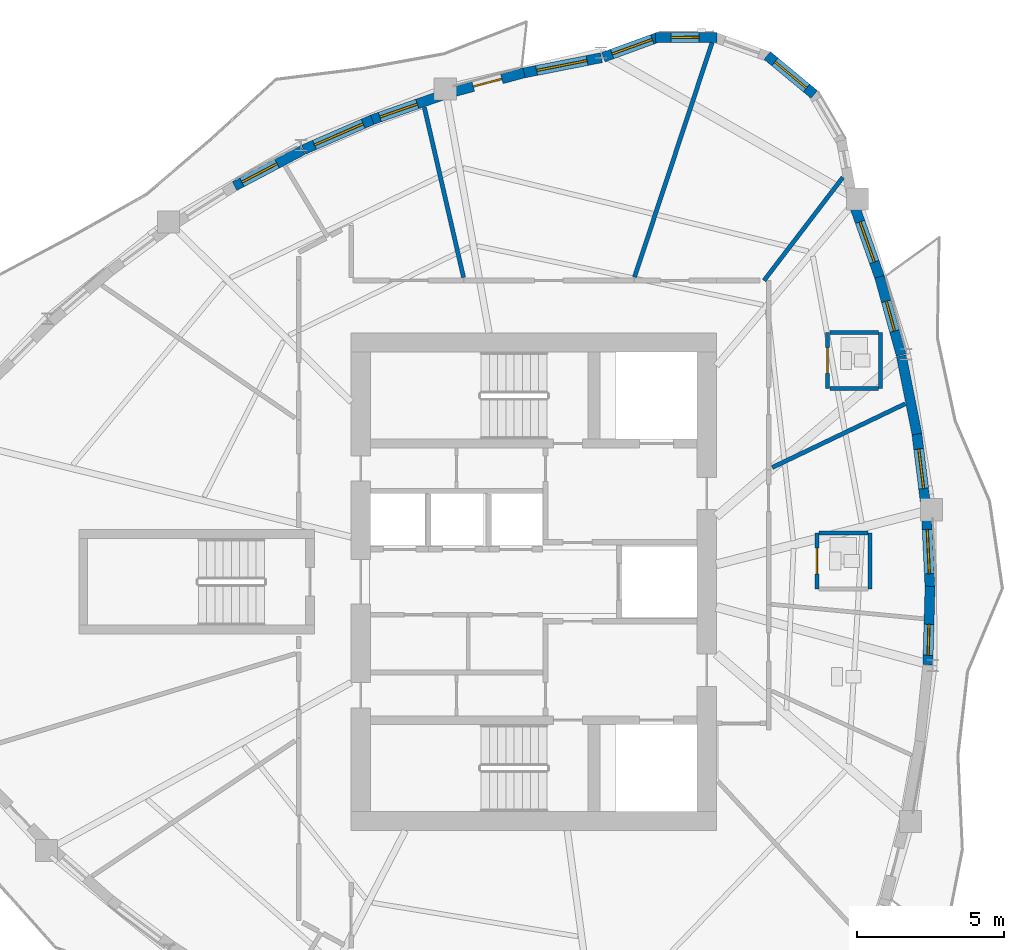
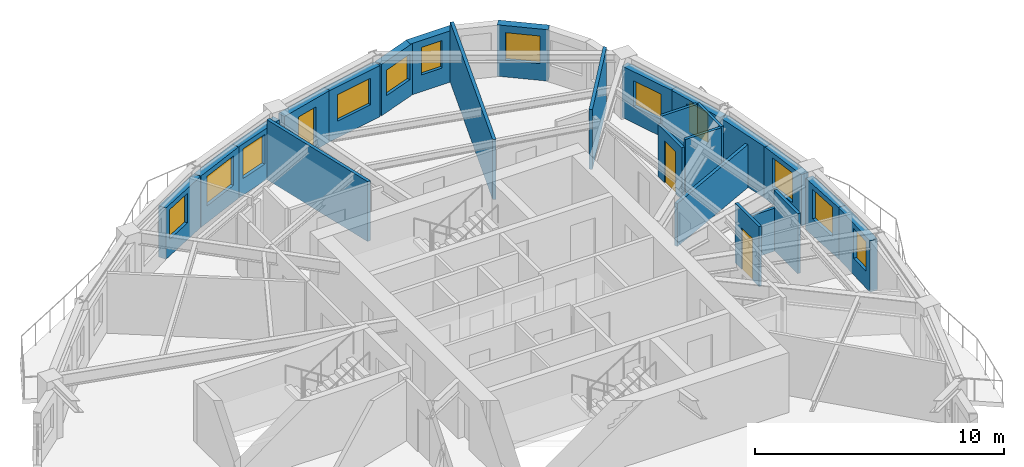
# One storey, part 7 of 12: 25 walls, 12 windows, 3 doors, 15 openings.
"""IFC4 building model written with IfcOpenShell, lengths in metres."""

from ifc_helpers import new_model, si_unit, direction, frame, frame_2d, origin, place, context, subcontext, project, spatial, rectangle, extrude, source, transform, mapped, material, layer, layer_set, type_object, element, fill, save


model = new_model("IFC4")

# Units and contexts
model_context = context("Model", 3, precision=1e-05, world=origin(), true_north=direction((0.0, 1.0)))
body_context = subcontext(model_context, "Body", "Model", "MODEL_VIEW")
ifc_project = project(units=[si_unit("LENGTHUNIT", "METRE"), si_unit("AREAUNIT", "SQUARE_METRE"), si_unit("VOLUMEUNIT", "CUBIC_METRE"), si_unit("PLANEANGLEUNIT", "RADIAN"), si_unit("MASSUNIT", "GRAM", prefix="KILO")], contexts=[model_context])

# Site, building, storey
site_placement = place(None, origin())
site = spatial("IfcSite", under=ifc_project, at=site_placement, CompositionType="ELEMENT")
building_placement = place(site_placement, origin())
building = spatial("IfcBuilding", under=site, at=building_placement, Name="Qafzar Sky-Pleat Residences", CompositionType="ELEMENT")
storey_placement = place(building_placement, frame((0.0, 0.0, 149.0)))
storey = spatial("IfcBuildingStorey", under=building, at=storey_placement, Name="L44", CompositionType="ELEMENT", Elevation=149.0)

# Walls
ifc_material_1 = material(Name="Acoustic gypsum plasterboard partition", Category="gypsum")
ifc_layer_1 = layer(ifc_material_1, 0.14501953125)
ifc_layer_set_1 = layer_set([ifc_layer_1], Name="Acoustic gypsum plasterboard partition")
wall_type_1 = type_object("IfcWallType", Name="PART-UNIT-145", PredefinedType="PARTITIONING", material=ifc_layer_set_1)
wall_1_placement = place(storey_placement, frame((33.7705078125, 36.34033203125, 0.0), z_axis=(0.0, 0.0, 1.0), x_axis=(0.314080540859, 0.949396341816, 0.0)))
element("IfcWall", 1, at=wall_1_placement, inside=storey, type_object=wall_type_1, Name="L44 Partition Wall PART-L44-PW-016", PredefinedType="PARTITIONING", context=body_context, shape_type="SweptSolid", body=[
    extrude(rectangle(XDim=8.394287109375, YDim=0.14501953125, at=frame_2d((4.197265625, 0.0))), origin(), (0.0, 0.0, 1.0), 2.93505859375),
])
wall_2_placement = place(storey_placement, frame((26.6337890625, 42.11328125, 0.0), z_axis=(0.0, 0.0, 1.0), x_axis=(0.224790361783, -0.97440714963, 0.0)))
element("IfcWall", 2, at=wall_2_placement, inside=storey, type_object=wall_type_1, Name="L44 Partition Wall PART-L44-PW-020", PredefinedType="PARTITIONING", context=body_context, shape_type="SweptSolid", body=[
    extrude(rectangle(XDim=5.93115234375, YDim=0.14501953125, at=frame_2d((2.965576171875, 0.0))), origin(), (0.0, 0.0, 1.0), 2.93505859375),
])
wall_3_placement = place(storey_placement, frame((38.448486328125, 29.880859375, 0.0), z_axis=(0.0, 0.0, 1.0), x_axis=(0.901842564972, 0.432064796072, 0.0)))
element("IfcWall", 3, at=wall_3_placement, inside=storey, type_object=wall_type_1, Name="L44 Partition Wall PART-L44-PW-023", PredefinedType="PARTITIONING", context=body_context, shape_type="SweptSolid", body=[
    extrude(rectangle(XDim=5.004150390625, YDim=0.14501953125, at=frame_2d((2.501953125, 0.0))), origin(), (0.0, 0.0, 1.0), 2.10302734375),
])
wall_4_placement = place(storey_placement, frame((38.169921875, 36.22998046875, 0.0), z_axis=(0.0, 0.0, 1.0), x_axis=(0.607203490548, 0.794546361811, 0.0)))
element("IfcWall", 4, at=wall_4_placement, inside=storey, type_object=wall_type_1, Name="L44 Partition Wall PART-L44-PW-024", PredefinedType="PARTITIONING", context=body_context, shape_type="SweptSolid", body=[
    extrude(rectangle(XDim=4.409912109375, YDim=0.14501953125, at=frame_2d((2.205078125, 0.0))), origin(), (0.0, 0.0, 1.0), 2.93505859375),
])

# Wall, opening, door
ifc_material_2 = material(Name="Moisture-resistant gypsum partition", Category="gypsum")
ifc_layer_2 = layer(ifc_material_2, 0.1298828125)
ifc_layer_set_2 = layer_set([ifc_layer_2], Name="Moisture-resistant gypsum partition")
wall_type_2 = type_object("IfcWallType", Name="PART-WET-130", PredefinedType="PARTITIONING", material=ifc_layer_set_2)
wall_5_placement = place(storey_placement, frame((39.968017578125, 27.656982421875, 0.0), z_axis=(0.0, 0.0, 1.0), x_axis=(0.0, -1.0, 0.0)))
wall_5 = element("IfcWall", 5, at=wall_5_placement, inside=storey, type_object=wall_type_2, Name="L44 Partition Wall PART-L44-PW-012", PredefinedType="PARTITIONING", context=body_context, shape_type="SweptSolid", body=[
    extrude(rectangle(XDim=1.89990234375, YDim=0.1298828125, at=frame_2d((0.949951171875, 0.0))), origin(), (0.0, 0.0, 1.0), 2.93505859375),
])
opening_1_placement = place(wall_5_placement, frame((0.510009765625, 0.0, 0.0)))
opening_1 = element("IfcOpeningElement", 6, at=opening_1_placement, cuts=wall_5, Name="Opening ID-07", PredefinedType="OPENING", context=body_context, shape_type="SweptSolid", body=[
    extrude(rectangle(XDim=0.8798828125, YDim=2.050048828125, at=frame_2d((0.43994140625, 1.02490234375))), frame((0.0, 0.074951171875, 0.0), z_axis=(0.0, -1.0, 0.0), x_axis=(1.0, 0.0, 0.0)), (0.0, 0.0, 1.0), 0.14990234375),
])
ifc_material_3 = material(Name="Timber-faced fire door", Category="wood")
door_type_1 = type_object("IfcDoorType", Name="DR-WET-880", OperationType="NOTDEFINED", PredefinedType="DOOR", material=ifc_material_3)
shared_shape_1 = source(origin(), body_context, "Body", "SweptSolid", [
    extrude(rectangle(XDim=0.8798828125, YDim=2.050048828125, at=frame_2d((0.43994140625, 1.02490234375))), frame((0.0, 0.02490234375, 0.0), z_axis=(0.0, -1.0, 0.0), x_axis=(1.0, 0.0, 0.0)), (0.0, 0.0, 1.0), 0.050048828125),
])
door_1_placement = place(opening_1_placement, origin())
door_1 = element("IfcDoor", 7, at=door_1_placement, inside=storey, type_object=door_type_1, Name="L44 En-suite Bathroom 1 Door", OperationType="SINGLE_SWING_LEFT", OverallHeight=2.050048828125, OverallWidth=0.8798828125, PredefinedType="DOOR", context=body_context, shape_type="MappedRepresentation", body=[
    mapped(shared_shape_1, transform((0.0, 0.0, 0.0), x_axis=(1.0, 0.0, 0.0), y_axis=(0.0, 1.0, 0.0), z_axis=(0.0, 0.0, 1.0), scale=1.0)),
])
fill(opening_1, door_1)

wall_6_placement = place(storey_placement, frame((40.330078125, 34.464111328125, 0.0), z_axis=(0.0, 0.0, 1.0), x_axis=(0.0, -1.0, 0.0)))
wall_6 = element("IfcWall", 8, at=wall_6_placement, inside=storey, type_object=wall_type_2, Name="L44 Partition Wall PART-L44-PW-013", PredefinedType="PARTITIONING", context=body_context, shape_type="SweptSolid", body=[
    extrude(rectangle(XDim=1.900146484375, YDim=0.1298828125, at=frame_2d((0.9501953125, 0.0))), origin(), (0.0, 0.0, 1.0), 2.54296875),
])
opening_2_placement = place(wall_6_placement, frame((0.510009765625, 0.0, 0.0)))
opening_2 = element("IfcOpeningElement", 9, at=opening_2_placement, cuts=wall_6, Name="Opening ID-07", PredefinedType="OPENING", context=body_context, shape_type="SweptSolid", body=[
    extrude(rectangle(XDim=0.8798828125, YDim=2.050048828125, at=frame_2d((0.43994140625, 1.02490234375))), frame((0.0, 0.074951171875, 0.0), z_axis=(0.0, -1.0, 0.0), x_axis=(1.0, 0.0, 0.0)), (0.0, 0.0, 1.0), 0.14990234375),
])
door_2_placement = place(opening_2_placement, origin())
door_2 = element("IfcDoor", 10, at=door_2_placement, inside=storey, type_object=door_type_1, Name="L44 En-suite Bathroom 2 Door", OperationType="SINGLE_SWING_RIGHT", OverallHeight=2.050048828125, OverallWidth=0.8798828125, PredefinedType="DOOR", context=body_context, shape_type="MappedRepresentation", body=[
    mapped(shared_shape_1, transform((0.0, 0.0, 0.0), x_axis=(1.0, 0.0, 0.0), y_axis=(0.0, 1.0, 0.0), z_axis=(0.0, 0.0, 1.0), scale=1.0)),
])
fill(opening_2, door_2)

# Walls
wall_7_placement = place(storey_placement, frame((41.76806640625, 25.757080078125, 0.0), z_axis=(0.0, 0.0, 1.0), x_axis=(0.0, 1.0, 0.0)))
element("IfcWall", 11, at=wall_7_placement, inside=storey, type_object=wall_type_2, Name="L44 Partition Wall PART-L44-PW-027", PredefinedType="PARTITIONING", context=body_context, shape_type="SweptSolid", body=[
    extrude(rectangle(XDim=1.89990234375, YDim=0.1298828125, at=frame_2d((0.949951171875, 0.0))), origin(), (0.0, 0.0, 1.0), 2.93505859375),
])
wall_8_placement = place(storey_placement, frame((42.1298828125, 32.56396484375, 0.0), z_axis=(0.0, 0.0, 1.0), x_axis=(0.0, 1.0, 0.0)))
element("IfcWall", 12, at=wall_8_placement, inside=storey, type_object=wall_type_2, Name="L44 Partition Wall PART-L44-PW-028", PredefinedType="PARTITIONING", context=body_context, shape_type="SweptSolid", body=[
    extrude(rectangle(XDim=1.900146484375, YDim=0.1298828125, at=frame_2d((0.9501953125, 0.0))), origin(), (0.0, 0.0, 1.0), 2.93505859375),
])
for number, where, z_axis, x_axis, name in (
    (13, (40.403076171875, 34.464111328125, 0.0), (0.0, 0.0, 1.0), (1.0, 0.0, 0.0), "L44 Partition Wall PART-L44-PW-029"),
    (14, (40.403076171875, 32.56396484375, 0.0), (0.0, 0.0, 1.0), (1.0, 0.0, 0.0), "L44 Partition Wall PART-L44-PW-030"),
):
    element("IfcWall", number, at=place(storey_placement, frame(where, z_axis=z_axis, x_axis=x_axis)), inside=storey, type_object=wall_type_2, Name=name, PredefinedType="PARTITIONING", context=body_context, shape_type="SweptSolid", body=[
        extrude(rectangle(XDim=1.65380859375, YDim=0.1298828125, at=frame_2d((0.826904296875, 0.0))), origin(), (0.0, 0.0, 1.0), 2.93505859375),
    ])
wall_9_placement = place(storey_placement, frame((40.041015625, 27.656982421875, 0.0), z_axis=(0.0, 0.0, 1.0), x_axis=(1.0, 0.0, 0.0)))
element("IfcWall", 15, at=wall_9_placement, inside=storey, type_object=wall_type_2, Name="L44 Partition Wall PART-L44-PW-031", PredefinedType="PARTITIONING", context=body_context, shape_type="SweptSolid", body=[
    extrude(rectangle(XDim=1.654052734375, YDim=0.1298828125, at=frame_2d((0.8271484375, 0.0))), origin(), (0.0, 0.0, 1.0), 2.10302734375),
])

# Wall, opening, window
ifc_material_4 = material(Name="Precast concrete C40/50 with honed Riyadh limestone", Category="concrete")
ifc_layer_3 = layer(ifc_material_4, 0.340087890625)
ifc_layer_set_3 = layer_set([ifc_layer_3], Name="Precast concrete C40/50 with honed Riyadh limestone")
wall_type_3 = type_object("IfcWallType", Name="WALL-EXT-340", PredefinedType="SOLIDWALL", material=ifc_layer_set_3)
wall_10_placement = place(storey_placement, frame((43.73388671875, 23.18310546875, 0.0), z_axis=(0.0, 0.0, 1.0), x_axis=(0.028311286797, 0.999599155182, 0.0)))
wall_10 = element("IfcWall", 16, at=wall_10_placement, inside=storey, type_object=wall_type_3, Name="L44 Limestone Facade Wall 27", PredefinedType="SOLIDWALL", context=body_context, shape_type="SweptSolid", body=[
    extrude(rectangle(XDim=2.66455078125, YDim=0.340087890625, at=frame_2d((1.332275390625, 0.0))), origin(), (0.0, 0.0, 1.0), 2.514892578125),
])
opening_3_placement = place(wall_10_placement, frame((0.322509765625, 0.0, 0.820068359375)))
opening_3 = element("IfcOpeningElement", 17, at=opening_3_placement, cuts=wall_10, Name="Opening WN-06", PredefinedType="OPENING", context=body_context, shape_type="SweptSolid", body=[
    extrude(rectangle(XDim=1.050048828125, YDim=1.449951171875, at=frame_2d((0.52490234375, 0.72509765625))), frame((0.0, 0.18017578125, 0.0), z_axis=(0.0, -1.0, 0.0), x_axis=(1.0, 0.0, 0.0)), (0.0, 0.0, 1.0), 0.360107421875),
])
ifc_material_5 = material(Name="Solar-control low-E glass in bronze aluminium frame", Category="glass")
window_type_1 = type_object("IfcWindowType", Name="WIN-06", PartitioningType="SINGLE_PANEL", PredefinedType="WINDOW", material=ifc_material_5)
shared_shape_2 = source(origin(), body_context, "Body", "SweptSolid", [
    extrude(rectangle(XDim=1.050048828125, YDim=1.449951171875, at=frame_2d((0.52490234375, 0.72509765625))), frame((0.0, 0.030029296875, 0.0), z_axis=(0.0, -1.0, 0.0), x_axis=(1.0, 0.0, 0.0)), (0.0, 0.0, 1.0), 0.06005859375),
])
window_1_placement = place(opening_3_placement, origin())
window_1 = element("IfcWindow", 18, at=window_1_placement, inside=storey, type_object=window_type_1, Name="L44 Punched Facade Window 27", OverallHeight=1.449951171875, OverallWidth=1.050048828125, PartitioningType="SINGLE_PANEL", PredefinedType="WINDOW", context=body_context, shape_type="MappedRepresentation", body=[
    mapped(shared_shape_2, transform((0.0, 0.0, 0.0), x_axis=(1.0, 0.0, 0.0), y_axis=(0.0, 1.0, 0.0), z_axis=(0.0, 0.0, 1.0), scale=1.0)),
])
fill(opening_3, window_1)

wall_11_placement = place(storey_placement, frame((43.810302734375, 25.7578125, 0.0), z_axis=(0.0, 0.0, 1.0), x_axis=(-0.047679791281, 0.998862671994, 0.0)))
wall_11 = element("IfcWall", 19, at=wall_11_placement, inside=storey, type_object=wall_type_3, Name="L44 Limestone Facade Wall 28", PredefinedType="SOLIDWALL", context=body_context, shape_type="SweptSolid", body=[
    extrude(rectangle(XDim=2.529541015625, YDim=0.340087890625, at=frame_2d((1.2646484375, 0.0))), origin(), (0.0, 0.0, 1.0), 2.514892578125),
])
opening_4_placement = place(wall_11_placement, frame((0.519775390625, 0.0, 0.820068359375)))
opening_4 = element("IfcOpeningElement", 20, at=opening_4_placement, cuts=wall_11, Name="Opening WN-03", PredefinedType="OPENING", context=body_context, shape_type="SweptSolid", body=[
    extrude(rectangle(XDim=1.5, YDim=1.449951171875, at=frame_2d((0.75, 0.72509765625))), frame((0.0, 0.18017578125, 0.0), z_axis=(0.0, -1.0, 0.0), x_axis=(1.0, 0.0, 0.0)), (0.0, 0.0, 1.0), 0.360107421875),
])
window_type_2 = type_object("IfcWindowType", Name="WIN-03", PartitioningType="DOUBLE_PANEL_VERTICAL", PredefinedType="WINDOW", material=ifc_material_5)
shared_shape_3 = source(origin(), body_context, "Body", "SweptSolid", [
    extrude(rectangle(XDim=1.5, YDim=1.449951171875, at=frame_2d((0.75, 0.72509765625))), frame((0.0, 0.030029296875, 0.0), z_axis=(0.0, -1.0, 0.0), x_axis=(1.0, 0.0, 0.0)), (0.0, 0.0, 1.0), 0.06005859375),
])
window_2_placement = place(opening_4_placement, origin())
window_2 = element("IfcWindow", 21, at=window_2_placement, inside=storey, type_object=window_type_2, Name="L44 Punched Facade Window 28", OverallHeight=1.449951171875, OverallWidth=1.5, PartitioningType="SINGLE_PANEL", PredefinedType="WINDOW", context=body_context, shape_type="MappedRepresentation", body=[
    mapped(shared_shape_3, transform((0.0, 0.0, 0.0), x_axis=(1.0, 0.0, 0.0), y_axis=(0.0, 1.0, 0.0), z_axis=(0.0, 0.0, 1.0), scale=1.0)),
])
fill(opening_4, window_2)

wall_12_placement = place(storey_placement, frame((43.664306640625, 28.580078125, 0.0), z_axis=(0.0, 0.0, 1.0), x_axis=(-0.122794881762, 0.992432071737, 0.0)))
wall_12 = element("IfcWall", 22, at=wall_12_placement, inside=storey, type_object=wall_type_3, Name="L44 Limestone Facade Wall 29", PredefinedType="SOLIDWALL", context=body_context, shape_type="SweptSolid", body=[
    extrude(rectangle(XDim=2.544921875, YDim=0.340087890625, at=frame_2d((1.2724609375, 0.0))), origin(), (0.0, 0.0, 1.0), 2.514892578125),
])
opening_5_placement = place(wall_12_placement, frame((0.59228515625, 0.0, 0.820068359375)))
opening_5 = element("IfcOpeningElement", 23, at=opening_5_placement, cuts=wall_12, Name="Opening WN-04", PredefinedType="OPENING", context=body_context, shape_type="SweptSolid", body=[
    extrude(rectangle(XDim=1.35009765625, YDim=1.449951171875, at=frame_2d((0.675048828125, 0.72509765625))), frame((0.0, 0.18017578125, 0.0), z_axis=(0.0, -1.0, 0.0), x_axis=(1.0, 0.0, 0.0)), (0.0, 0.0, 1.0), 0.360107421875),
])
window_type_3 = type_object("IfcWindowType", Name="WIN-04", PartitioningType="SINGLE_PANEL", PredefinedType="WINDOW", material=ifc_material_5)
shared_shape_4 = source(origin(), body_context, "Body", "SweptSolid", [
    extrude(rectangle(XDim=1.35009765625, YDim=1.449951171875, at=frame_2d((0.675048828125, 0.72509765625))), frame((0.0, 0.030029296875, 0.0), z_axis=(0.0, -1.0, 0.0), x_axis=(1.0, 0.0, 0.0)), (0.0, 0.0, 1.0), 0.06005859375),
])
window_3_placement = place(opening_5_placement, origin())
window_3 = element("IfcWindow", 24, at=window_3_placement, inside=storey, type_object=window_type_3, Name="L44 Punched Facade Window 29", OverallHeight=1.449951171875, OverallWidth=1.35009765625, PartitioningType="SINGLE_PANEL", PredefinedType="WINDOW", context=body_context, shape_type="MappedRepresentation", body=[
    mapped(shared_shape_4, transform((0.0, 0.0, 0.0), x_axis=(1.0, 0.0, 0.0), y_axis=(0.0, 1.0, 0.0), z_axis=(0.0, 0.0, 1.0), scale=1.0)),
])
fill(opening_5, window_3)

# Wall
wall_13_placement = place(storey_placement, frame((43.365966796875, 31.018310546875, 0.0), z_axis=(0.0, 0.0, 1.0), x_axis=(-0.196116135138, 0.980580675691, 0.0)))
element("IfcWall", 25, at=wall_13_placement, inside=storey, type_object=wall_type_3, Name="L44 Limestone Facade Wall 30", PredefinedType="SOLIDWALL", context=body_context, shape_type="SweptSolid", body=[
    extrude(rectangle(XDim=2.710205078125, YDim=0.340087890625, at=frame_2d((1.35498046875, 0.0))), origin(), (0.0, 0.0, 1.0), 2.514892578125),
])

# Wall, opening, window
wall_14_placement = place(storey_placement, frame((42.827880859375, 33.70263671875, 0.0), z_axis=(0.0, 0.0, 1.0), x_axis=(-0.266340796898, 0.963878923884, 0.0)))
wall_14 = element("IfcWall", 26, at=wall_14_placement, inside=storey, type_object=wall_type_3, Name="L44 Limestone Facade Wall 31", PredefinedType="SOLIDWALL", context=body_context, shape_type="SweptSolid", body=[
    extrude(rectangle(XDim=2.754638671875, YDim=0.340087890625, at=frame_2d((1.37744140625, 0.0))), origin(), (0.0, 0.0, 1.0), 2.514892578125),
])
opening_6_placement = place(wall_14_placement, frame((0.84228515625, 0.0, 0.820068359375)))
opening_6 = element("IfcOpeningElement", 27, at=opening_6_placement, cuts=wall_14, Name="Opening WN-06", PredefinedType="OPENING", context=body_context, shape_type="SweptSolid", body=[
    extrude(rectangle(XDim=1.050048828125, YDim=1.449951171875, at=frame_2d((0.52490234375, 0.72509765625))), frame((0.0, 0.18017578125, 0.0), z_axis=(0.0, -1.0, 0.0), x_axis=(1.0, 0.0, 0.0)), (0.0, 0.0, 1.0), 0.360107421875),
])
window_4_placement = place(opening_6_placement, origin())
window_4 = element("IfcWindow", 28, at=window_4_placement, inside=storey, type_object=window_type_1, Name="L44 Punched Facade Window 31", OverallHeight=1.449951171875, OverallWidth=1.050048828125, PartitioningType="SINGLE_PANEL", PredefinedType="WINDOW", context=body_context, shape_type="MappedRepresentation", body=[
    mapped(shared_shape_2, transform((0.0, 0.0, 0.0), x_axis=(1.0, 0.0, 0.0), y_axis=(0.0, 1.0, 0.0), z_axis=(0.0, 0.0, 1.0), scale=1.0)),
])
fill(opening_6, window_4)

wall_15_placement = place(storey_placement, frame((42.12060546875, 36.27392578125, 0.0), z_axis=(0.0, 0.0, 1.0), x_axis=(-0.332724751299, 0.943023986902, 0.0)))
wall_15 = element("IfcWall", 29, at=wall_15_placement, inside=storey, type_object=wall_type_3, Name="L44 Limestone Facade Wall 32", PredefinedType="SOLIDWALL", context=body_context, shape_type="SweptSolid", body=[
    extrude(rectangle(XDim=2.67822265625, YDim=0.340087890625, at=frame_2d((1.339111328125, 0.0))), origin(), (0.0, 0.0, 1.0), 2.514892578125),
])
opening_7_placement = place(wall_15_placement, frame((0.618896484375, 0.0, 0.820068359375)))
opening_7 = element("IfcOpeningElement", 30, at=opening_7_placement, cuts=wall_15, Name="Opening WN-15", PredefinedType="OPENING", context=body_context, shape_type="SweptSolid", body=[
    extrude(rectangle(XDim=1.449951171875, YDim=1.25, at=frame_2d((0.72509765625, 0.625))), frame((0.0, 0.18017578125, 0.0), z_axis=(0.0, -1.0, 0.0), x_axis=(1.0, 0.0, 0.0)), (0.0, 0.0, 1.0), 0.360107421875),
])
window_type_4 = type_object("IfcWindowType", Name="WIN-15", PartitioningType="SINGLE_PANEL", PredefinedType="WINDOW", material=ifc_material_5)
shared_shape_5 = source(origin(), body_context, "Body", "SweptSolid", [
    extrude(rectangle(XDim=1.449951171875, YDim=1.25, at=frame_2d((0.72509765625, 0.625))), frame((0.0, 0.030029296875, 0.0), z_axis=(0.0, -1.0, 0.0), x_axis=(1.0, 0.0, 0.0)), (0.0, 0.0, 1.0), 0.06005859375),
])
window_5_placement = place(opening_7_placement, origin())
window_5 = element("IfcWindow", 31, at=window_5_placement, inside=storey, type_object=window_type_4, Name="L44 Punched Facade Window 32", OverallHeight=1.25, OverallWidth=1.449951171875, PartitioningType="SINGLE_PANEL", PredefinedType="WINDOW", context=body_context, shape_type="MappedRepresentation", body=[
    mapped(shared_shape_5, transform((0.0, 0.0, 0.0), x_axis=(1.0, 0.0, 0.0), y_axis=(0.0, 1.0, 0.0), z_axis=(0.0, 0.0, 1.0), scale=1.0)),
])
fill(opening_7, window_5)

wall_16_placement = place(storey_placement, frame((39.87841796875, 42.5478515625, 0.0), z_axis=(0.0, 0.0, 1.0), x_axis=(-0.769690471148, 0.63841724493, 0.0)))
wall_16 = element("IfcWall", 32, at=wall_16_placement, inside=storey, type_object=wall_type_3, Name="L44 Limestone Facade Wall 35", PredefinedType="SOLIDWALL", context=body_context, shape_type="SweptSolid", body=[
    extrude(rectangle(XDim=2.0810546875, YDim=0.340087890625, at=frame_2d((1.04052734375, 0.0))), origin(), (0.0, 0.0, 1.0), 2.514892578125),
])
opening_8_placement = place(wall_16_placement, frame((0.340576171875, 0.0, 0.820068359375)))
opening_8 = element("IfcOpeningElement", 33, at=opening_8_placement, cuts=wall_16, Name="Opening WN-10", PredefinedType="OPENING", context=body_context, shape_type="SweptSolid", body=[
    extrude(rectangle(XDim=1.39990234375, YDim=1.35009765625, at=frame_2d((0.699951171875, 0.675048828125))), frame((0.0, 0.18017578125, 0.0), z_axis=(0.0, -1.0, 0.0), x_axis=(1.0, 0.0, 0.0)), (0.0, 0.0, 1.0), 0.360107421875),
])
window_type_5 = type_object("IfcWindowType", Name="WIN-10", PartitioningType="SINGLE_PANEL", PredefinedType="WINDOW", material=ifc_material_5)
shared_shape_6 = source(origin(), body_context, "Body", "SweptSolid", [
    extrude(rectangle(XDim=1.39990234375, YDim=1.35009765625, at=frame_2d((0.699951171875, 0.675048828125))), frame((0.0, 0.030029296875, 0.0), z_axis=(0.0, -1.0, 0.0), x_axis=(1.0, 0.0, 0.0)), (0.0, 0.0, 1.0), 0.06005859375),
])
window_6_placement = place(opening_8_placement, origin())
window_6 = element("IfcWindow", 34, at=window_6_placement, inside=storey, type_object=window_type_5, Name="L44 Punched Facade Window 35", OverallHeight=1.35009765625, OverallWidth=1.39990234375, PartitioningType="SINGLE_PANEL", PredefinedType="WINDOW", context=body_context, shape_type="MappedRepresentation", body=[
    mapped(shared_shape_6, transform((0.0, 0.0, 0.0), x_axis=(1.0, 0.0, 0.0), y_axis=(0.0, 1.0, 0.0), z_axis=(0.0, 0.0, 1.0), scale=1.0)),
])
fill(opening_8, window_6)

wall_17_placement = place(storey_placement, frame((36.56591796875, 44.491455078125, 0.0), z_axis=(0.0, 0.0, 1.0), x_axis=(-0.999996965984, -0.002463335635, 0.0)))
wall_17 = element("IfcWall", 35, at=wall_17_placement, inside=storey, type_object=wall_type_3, Name="L44 Limestone Facade Wall 37", PredefinedType="SOLIDWALL", context=body_context, shape_type="SweptSolid", body=[
    extrude(rectangle(XDim=2.081298828125, YDim=0.340087890625, at=frame_2d((1.04052734375, 0.0))), origin(), (0.0, 0.0, 1.0), 2.514892578125),
])
opening_9_placement = place(wall_17_placement, frame((0.601806640625, 0.0, 0.820068359375)))
opening_9 = element("IfcOpeningElement", 36, at=opening_9_placement, cuts=wall_17, Name="Opening WN-12", PredefinedType="OPENING", context=body_context, shape_type="SweptSolid", body=[
    extrude(rectangle(XDim=0.949951171875, YDim=1.35009765625, at=frame_2d((0.47509765625, 0.675048828125))), frame((0.0, 0.18017578125, 0.0), z_axis=(0.0, -1.0, 0.0), x_axis=(1.0, 0.0, 0.0)), (0.0, 0.0, 1.0), 0.360107421875),
])
window_type_6 = type_object("IfcWindowType", Name="WIN-12", PartitioningType="SINGLE_PANEL", PredefinedType="WINDOW", material=ifc_material_5)
shared_shape_7 = source(origin(), body_context, "Body", "SweptSolid", [
    extrude(rectangle(XDim=0.949951171875, YDim=1.35009765625, at=frame_2d((0.47509765625, 0.675048828125))), frame((0.0, 0.030029296875, 0.0), z_axis=(0.0, -1.0, 0.0), x_axis=(1.0, 0.0, 0.0)), (0.0, 0.0, 1.0), 0.06005859375),
])
window_7_placement = place(opening_9_placement, origin())
window_7 = element("IfcWindow", 37, at=window_7_placement, inside=storey, type_object=window_type_6, Name="L44 Punched Facade Window 37", OverallHeight=1.35009765625, OverallWidth=0.949951171875, PartitioningType="SINGLE_PANEL", PredefinedType="WINDOW", context=body_context, shape_type="MappedRepresentation", body=[
    mapped(shared_shape_7, transform((0.0, 0.0, 0.0), x_axis=(1.0, 0.0, 0.0), y_axis=(0.0, 1.0, 0.0), z_axis=(0.0, 0.0, 1.0), scale=1.0)),
])
fill(opening_9, window_7)

wall_18_placement = place(storey_placement, frame((34.6162109375, 44.509765625, 0.0), z_axis=(0.0, 0.0, 1.0), x_axis=(-0.939426417976, -0.342750645819, 0.0)))
wall_18 = element("IfcWall", 38, at=wall_18_placement, inside=storey, type_object=wall_type_3, Name="L44 Limestone Facade Wall 38", PredefinedType="SOLIDWALL", context=body_context, shape_type="SweptSolid", body=[
    extrude(rectangle(XDim=2.02294921875, YDim=0.340087890625, at=frame_2d((1.011474609375, 0.0))), origin(), (0.0, 0.0, 1.0), 2.514892578125),
])
opening_10_placement = place(wall_18_placement, frame((0.256591796875, 0.0, 0.820068359375)))
opening_10 = element("IfcOpeningElement", 39, at=opening_10_placement, cuts=wall_18, Name="Opening WN-15", PredefinedType="OPENING", context=body_context, shape_type="SweptSolid", body=[
    extrude(rectangle(XDim=1.449951171875, YDim=1.25, at=frame_2d((0.72509765625, 0.625))), frame((0.0, 0.18017578125, 0.0), z_axis=(0.0, -1.0, 0.0), x_axis=(1.0, 0.0, 0.0)), (0.0, 0.0, 1.0), 0.360107421875),
])
window_8_placement = place(opening_10_placement, origin())
window_8 = element("IfcWindow", 40, at=window_8_placement, inside=storey, type_object=window_type_4, Name="L44 Punched Facade Window 38", OverallHeight=1.25, OverallWidth=1.449951171875, PartitioningType="SINGLE_PANEL", PredefinedType="WINDOW", context=body_context, shape_type="MappedRepresentation", body=[
    mapped(shared_shape_5, transform((0.0, 0.0, 0.0), x_axis=(1.0, 0.0, 0.0), y_axis=(0.0, 1.0, 0.0), z_axis=(0.0, 0.0, 1.0), scale=1.0)),
])
fill(opening_10, window_8)

wall_19_placement = place(storey_placement, frame((32.65185546875, 43.798583984375, 0.0), z_axis=(0.0, 0.0, 1.0), x_axis=(-0.98123033563, -0.192839385083, 0.0)))
wall_19 = element("IfcWall", 41, at=wall_19_placement, inside=storey, type_object=wall_type_3, Name="L44 Limestone Facade Wall 39", PredefinedType="SOLIDWALL", context=body_context, shape_type="SweptSolid", body=[
    extrude(rectangle(XDim=2.766357421875, YDim=0.340087890625, at=frame_2d((1.38330078125, 0.0))), origin(), (0.0, 0.0, 1.0), 2.514892578125),
])
opening_11_placement = place(wall_19_placement, frame((0.498046875, 0.0, 0.820068359375)))
opening_11 = element("IfcOpeningElement", 42, at=opening_11_placement, cuts=wall_19, Name="Opening WN-14", PredefinedType="OPENING", context=body_context, shape_type="SweptSolid", body=[
    extrude(rectangle(XDim=1.75, YDim=1.300048828125, at=frame_2d((0.875, 0.64990234375))), frame((0.0, 0.18017578125, 0.0), z_axis=(0.0, -1.0, 0.0), x_axis=(1.0, 0.0, 0.0)), (0.0, 0.0, 1.0), 0.360107421875),
])
window_type_7 = type_object("IfcWindowType", Name="WIN-14", PartitioningType="DOUBLE_PANEL_VERTICAL", PredefinedType="WINDOW", material=ifc_material_5)
shared_shape_8 = source(origin(), body_context, "Body", "SweptSolid", [
    extrude(rectangle(XDim=1.75, YDim=1.300048828125, at=frame_2d((0.875, 0.64990234375))), frame((0.0, 0.030029296875, 0.0), z_axis=(0.0, -1.0, 0.0), x_axis=(1.0, 0.0, 0.0)), (0.0, 0.0, 1.0), 0.06005859375),
])
window_9_placement = place(opening_11_placement, origin())
window_9 = element("IfcWindow", 43, at=window_9_placement, inside=storey, type_object=window_type_7, Name="L44 Punched Facade Window 39", OverallHeight=1.300048828125, OverallWidth=1.75, PartitioningType="SINGLE_PANEL", PredefinedType="WINDOW", context=body_context, shape_type="MappedRepresentation", body=[
    mapped(shared_shape_8, transform((0.0, 0.0, 0.0), x_axis=(1.0, 0.0, 0.0), y_axis=(0.0, 1.0, 0.0), z_axis=(0.0, 0.0, 1.0), scale=1.0)),
])
fill(opening_11, window_9)

# Wall, opening, door
wall_20_placement = place(storey_placement, frame((30.02294921875, 43.284912109375, 0.0), z_axis=(0.0, 0.0, 1.0), x_axis=(-0.965478241218, -0.260483714913, 0.0)))
wall_20 = element("IfcWall", 44, at=wall_20_placement, inside=storey, type_object=wall_type_3, Name="L44 Limestone Facade Wall 40", PredefinedType="SOLIDWALL", context=body_context, shape_type="SweptSolid", body=[
    extrude(rectangle(XDim=2.57373046875, YDim=0.340087890625, at=frame_2d((1.286865234375, 0.0))), origin(), (0.0, 0.0, 1.0), 2.514892578125),
])
opening_12_placement = place(wall_20_placement, frame((0.786865234375, 0.0, 0.0)))
opening_12 = element("IfcOpeningElement", 45, at=opening_12_placement, cuts=wall_20, Name="Opening ED-05", PredefinedType="OPENING", context=body_context, shape_type="SweptSolid", body=[
    extrude(rectangle(XDim=1.0, YDim=2.10009765625, at=frame_2d((0.5, 1.050048828125))), frame((0.0, 0.18017578125, 0.0), z_axis=(0.0, -1.0, 0.0), x_axis=(1.0, 0.0, 0.0)), (0.0, 0.0, 1.0), 0.360107421875),
])
ifc_material_6 = material(Name="Glazed bronze aluminium door", Category="aluminium")
door_type_2 = type_object("IfcDoorType", Name="DR-BAL-1000", OperationType="NOTDEFINED", PredefinedType="DOOR", material=ifc_material_6)
shared_shape_9 = source(origin(), body_context, "Body", "SweptSolid", [
    extrude(rectangle(XDim=1.0, YDim=2.10009765625, at=frame_2d((0.5, 1.050048828125))), frame((0.0, 0.02490234375, 0.0), z_axis=(0.0, -1.0, 0.0), x_axis=(1.0, 0.0, 0.0)), (0.0, 0.0, 1.0), 0.050048828125),
])
door_3_placement = place(opening_12_placement, origin())
door_3 = element("IfcDoor", 46, at=door_3_placement, inside=storey, type_object=door_type_2, Name="L44 Glazed Balcony Door 2", OperationType="SINGLE_SWING_LEFT", OverallHeight=2.10009765625, OverallWidth=1.0, PredefinedType="DOOR", context=body_context, shape_type="MappedRepresentation", body=[
    mapped(shared_shape_9, transform((0.0, 0.0, 0.0), x_axis=(1.0, 0.0, 0.0), y_axis=(0.0, 1.0, 0.0), z_axis=(0.0, 0.0, 1.0), scale=1.0)),
])
fill(opening_12, door_3)

# Wall, opening, window
wall_21_placement = place(storey_placement, frame((27.25390625, 42.526611328125, 0.0), z_axis=(0.0, 0.0, 1.0), x_axis=(-0.944140843313, -0.329542209721, 0.0)))
wall_21 = element("IfcWall", 47, at=wall_21_placement, inside=storey, type_object=wall_type_3, Name="L44 Limestone Facade Wall 41", PredefinedType="SOLIDWALL", context=body_context, shape_type="SweptSolid", body=[
    extrude(rectangle(XDim=2.530029296875, YDim=0.340087890625, at=frame_2d((1.26513671875, 0.0))), origin(), (0.0, 0.0, 1.0), 2.514892578125),
])
opening_13_placement = place(wall_21_placement, frame((0.909423828125, 0.0, 0.820068359375)))
opening_13 = element("IfcOpeningElement", 48, at=opening_13_placement, cuts=wall_21, Name="Opening WN-04", PredefinedType="OPENING", context=body_context, shape_type="SweptSolid", body=[
    extrude(rectangle(XDim=1.35009765625, YDim=1.449951171875, at=frame_2d((0.675048828125, 0.72509765625))), frame((0.0, 0.18017578125, 0.0), z_axis=(0.0, -1.0, 0.0), x_axis=(1.0, 0.0, 0.0)), (0.0, 0.0, 1.0), 0.360107421875),
])
window_10_placement = place(opening_13_placement, origin())
window_10 = element("IfcWindow", 49, at=window_10_placement, inside=storey, type_object=window_type_3, Name="L44 Punched Facade Window 41-2", OverallHeight=1.449951171875, OverallWidth=1.35009765625, PartitioningType="SINGLE_PANEL", PredefinedType="WINDOW", context=body_context, shape_type="MappedRepresentation", body=[
    mapped(shared_shape_4, transform((0.0, 0.0, 0.0), x_axis=(1.0, 0.0, 0.0), y_axis=(0.0, 1.0, 0.0), z_axis=(0.0, 0.0, 1.0), scale=1.0)),
])
fill(opening_13, window_10)

wall_22_placement = place(storey_placement, frame((24.94775390625, 41.72509765625, 0.0), z_axis=(0.0, 0.0, 1.0), x_axis=(-0.917067110524, -0.398732886523, 0.0)))
wall_22 = element("IfcWall", 50, at=wall_22_placement, inside=storey, type_object=wall_type_3, Name="L44 Limestone Facade Wall 42", PredefinedType="SOLIDWALL", context=body_context, shape_type="SweptSolid", body=[
    extrude(rectangle(XDim=2.63525390625, YDim=0.340087890625, at=frame_2d((1.317626953125, 0.0))), origin(), (0.0, 0.0, 1.0), 2.514892578125),
])
opening_14_placement = place(wall_22_placement, frame((0.427490234375, 0.0, 0.820068359375)))
opening_14 = element("IfcOpeningElement", 51, at=opening_14_placement, cuts=wall_22, Name="Opening WN-01", PredefinedType="OPENING", context=body_context, shape_type="SweptSolid", body=[
    extrude(rectangle(XDim=1.800048828125, YDim=1.449951171875, at=frame_2d((0.89990234375, 0.72509765625))), frame((0.0, 0.18017578125, 0.0), z_axis=(0.0, -1.0, 0.0), x_axis=(1.0, 0.0, 0.0)), (0.0, 0.0, 1.0), 0.360107421875),
])
window_type_8 = type_object("IfcWindowType", Name="WIN-01", PartitioningType="DOUBLE_PANEL_VERTICAL", PredefinedType="WINDOW", material=ifc_material_5)
shared_shape_10 = source(origin(), body_context, "Body", "SweptSolid", [
    extrude(rectangle(XDim=1.800048828125, YDim=1.449951171875, at=frame_2d((0.89990234375, 0.72509765625))), frame((0.0, 0.030029296875, 0.0), z_axis=(0.0, -1.0, 0.0), x_axis=(1.0, 0.0, 0.0)), (0.0, 0.0, 1.0), 0.06005859375),
])
window_11_placement = place(opening_14_placement, origin())
window_11 = element("IfcWindow", 52, at=window_11_placement, inside=storey, type_object=window_type_8, Name="L44 Punched Facade Window 42", OverallHeight=1.449951171875, OverallWidth=1.800048828125, PartitioningType="SINGLE_PANEL", PredefinedType="WINDOW", context=body_context, shape_type="MappedRepresentation", body=[
    mapped(shared_shape_10, transform((0.0, 0.0, 0.0), x_axis=(1.0, 0.0, 0.0), y_axis=(0.0, 1.0, 0.0), z_axis=(0.0, 0.0, 1.0), scale=1.0)),
])
fill(opening_14, window_11)

wall_23_placement = place(storey_placement, frame((22.506591796875, 40.66259765625, 0.0), z_axis=(0.0, 0.0, 1.0), x_axis=(-0.884410392718, -0.466710035517, 0.0)))
wall_23 = element("IfcWall", 53, at=wall_23_placement, inside=storey, type_object=wall_type_3, Name="L44 Limestone Facade Wall 43", PredefinedType="SOLIDWALL", context=body_context, shape_type="SweptSolid", body=[
    extrude(rectangle(XDim=2.620361328125, YDim=0.340087890625, at=frame_2d((1.31005859375, 0.0))), origin(), (0.0, 0.0, 1.0), 2.514892578125),
])
opening_15_placement = place(wall_23_placement, frame((0.98828125, 0.0, 0.820068359375)))
opening_15 = element("IfcOpeningElement", 54, at=opening_15_placement, cuts=wall_23, Name="Opening WN-04", PredefinedType="OPENING", context=body_context, shape_type="SweptSolid", body=[
    extrude(rectangle(XDim=1.35009765625, YDim=1.449951171875, at=frame_2d((0.675048828125, 0.72509765625))), frame((0.0, 0.18017578125, 0.0), z_axis=(0.0, -1.0, 0.0), x_axis=(1.0, 0.0, 0.0)), (0.0, 0.0, 1.0), 0.360107421875),
])
window_12_placement = place(opening_15_placement, origin())
window_12 = element("IfcWindow", 55, at=window_12_placement, inside=storey, type_object=window_type_3, Name="L44 Punched Facade Window 43-2", OverallHeight=1.449951171875, OverallWidth=1.35009765625, PartitioningType="SINGLE_PANEL", PredefinedType="WINDOW", context=body_context, shape_type="MappedRepresentation", body=[
    mapped(shared_shape_4, transform((0.0, 0.0, 0.0), x_axis=(1.0, 0.0, 0.0), y_axis=(0.0, 1.0, 0.0), z_axis=(0.0, 0.0, 1.0), scale=1.0)),
])
fill(opening_15, window_12)

save(model, "model.ifc")
